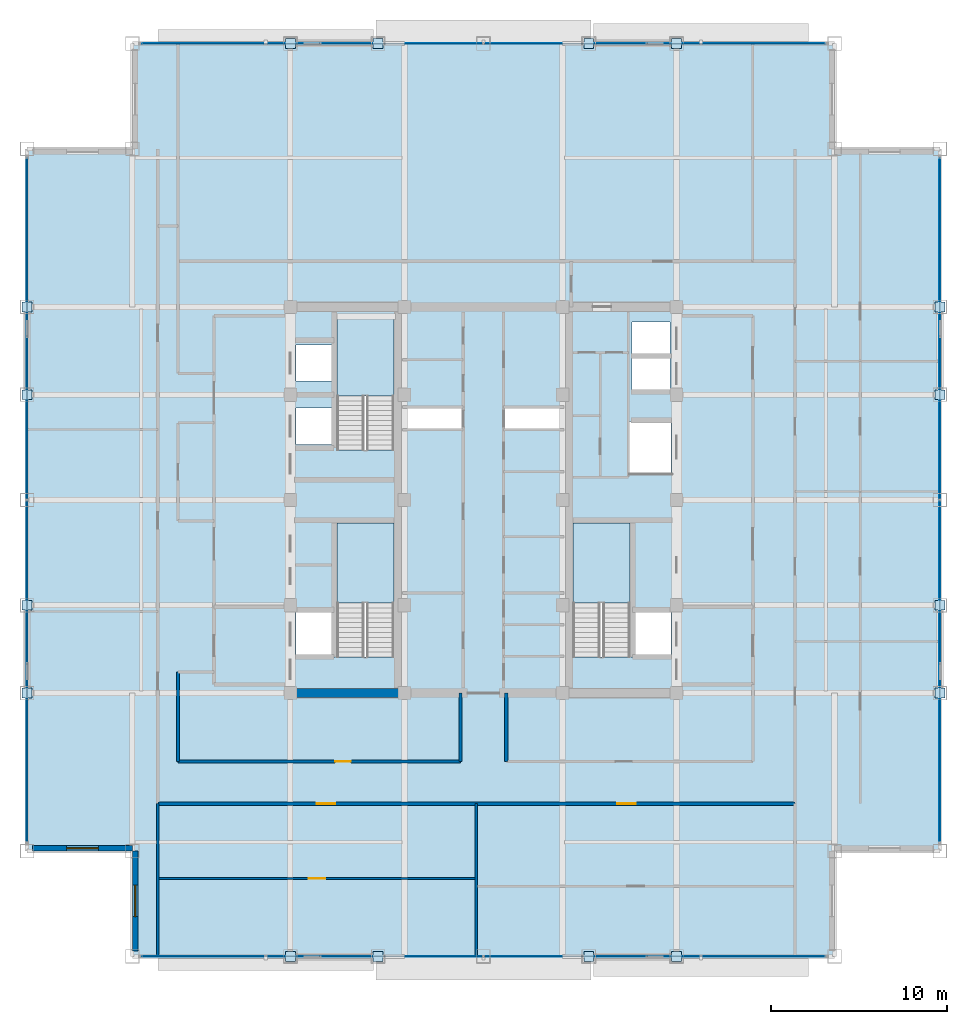
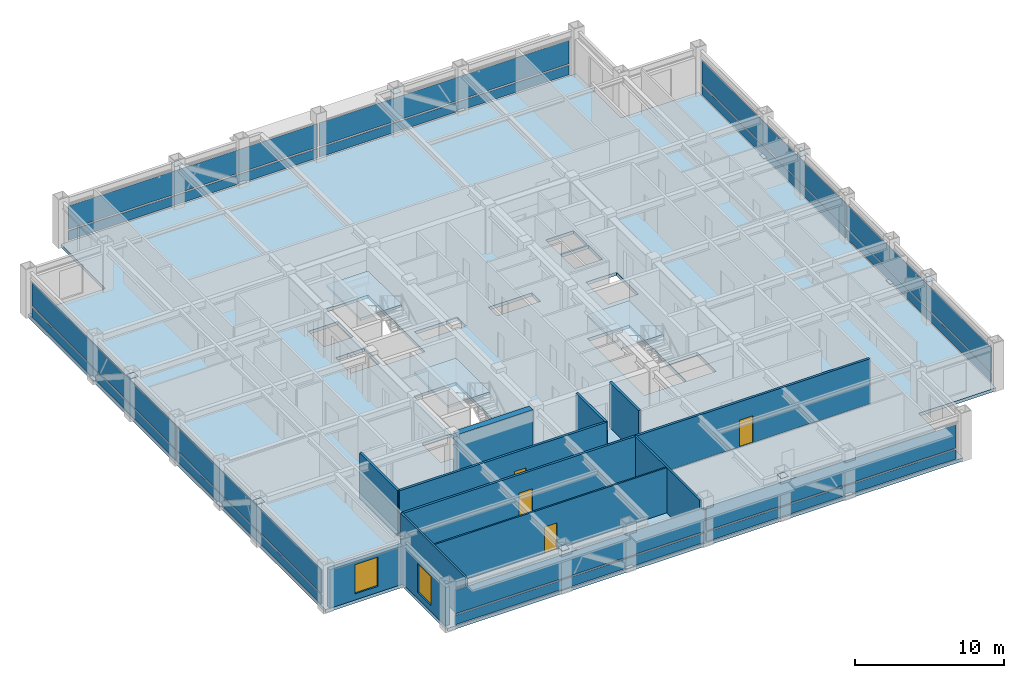
# One storey, part 23 of 32: 32 plates, 11 walls, 4 doors, 4 slabs, 2 windows, 6 openings, 7 elements without a shape of their own.
"""IFC4 building model written with IfcOpenShell, lengths in metres."""

from ifc_helpers import new_model, si_unit, direction, frame, frame_2d, origin, origin_2d, place, context, subcontext, project, spatial, polyline, rectangle, outline, extrude, source, transform, mapped, material, layer, layer_set, type_object, element, fill, aggregate, save


model = new_model("IFC4")

# Units and contexts
model_context = context("Model", 3, precision=1e-05, world=origin(), true_north=direction((0.0, 1.0)))
body_context = subcontext(model_context, "Body", "Model", "MODEL_VIEW")
ifc_project = project(units=[si_unit("LENGTHUNIT", "METRE"), si_unit("AREAUNIT", "SQUARE_METRE"), si_unit("VOLUMEUNIT", "CUBIC_METRE"), si_unit("PLANEANGLEUNIT", "RADIAN"), si_unit("MASSUNIT", "GRAM", prefix="KILO")], contexts=[model_context])

# Site, building, storey
site_placement = place(None, origin())
site = spatial("IfcSite", under=ifc_project, at=site_placement, CompositionType="ELEMENT")
building_placement = place(site_placement, origin())
building = spatial("IfcBuilding", under=site, at=building_placement, Name="Khorayat Bourse Tower", CompositionType="ELEMENT")
storey_placement = place(building_placement, frame((0.0, 0.0, 342.300048828125)))
storey = spatial("IfcBuildingStorey", under=building, at=storey_placement, Name="L81", CompositionType="ELEMENT", Elevation=342.300048828125)

# Stair, slab
ifc_material_1 = material(Name="Concrete C40/50", Category="concrete")
stair_type = type_object("IfcStairType", Name="STR-CORE-1550", PredefinedType="HALF_TURN_STAIR", material=ifc_material_1)
stair_1_placement = place(storey_placement, origin())
stair_1 = element("IfcStair", 1, at=stair_1_placement, inside=storey, type_object=stair_type, Name="L81 Exit Stair ST-1", PredefinedType="HALF_TURN_STAIR")
ifc_layer_1 = layer(ifc_material_1, 0.199951171875)
ifc_layer_set_1 = layer_set([ifc_layer_1], Name="Concrete C40/50")
slab_type_1 = type_object("IfcSlabType", Name="SLB-LANDING-200", PredefinedType="LANDING", material=ifc_layer_set_1)
slab_1_placement = place(storey_placement, frame((0.0, 0.0, 1.800048828125)))
slab_1 = element("IfcSlab", 2, at=slab_1_placement, type_object=slab_type_1, Name="ST-1 landing 1", PredefinedType="LANDING", context=body_context, shape_type="SweptSolid", body=[
    extrude(outline(polyline([(-5.10009765625, -5.8701171875), (-5.10009765625, -1.300048828125), (-8.35009765625, -1.300048828125), (-8.35009765625, -5.8701171875), (-5.10009765625, -5.8701171875)])), origin(), (0.0, 0.0, 1.0), 0.199951171875),
])
aggregate(stair_1, [slab_1])

stair_2_placement = place(storey_placement, origin())
stair_2 = element("IfcStair", 3, at=stair_2_placement, inside=storey, type_object=stair_type, Name="L81 Exit Stair ST-2", PredefinedType="HALF_TURN_STAIR")
slab_2_placement = place(storey_placement, frame((0.0, 0.0, 1.800048828125)))
slab_2 = element("IfcSlab", 4, at=slab_2_placement, type_object=slab_type_1, Name="ST-2 landing 1", PredefinedType="LANDING", context=body_context, shape_type="SweptSolid", body=[
    extrude(outline(polyline([(-5.10009765625, 5.929931640625), (-5.10009765625, 10.5), (-8.35009765625, 10.5), (-8.35009765625, 5.929931640625), (-5.10009765625, 5.929931640625)])), origin(), (0.0, 0.0, 1.0), 0.199951171875),
])
aggregate(stair_2, [slab_2])

stair_3_placement = place(storey_placement, origin())
stair_3 = element("IfcStair", 5, at=stair_3_placement, inside=storey, type_object=stair_type, Name="L81 Exit Stair ST-3", PredefinedType="HALF_TURN_STAIR")
slab_3_placement = place(storey_placement, frame((0.0, 0.0, 1.800048828125)))
slab_3 = element("IfcSlab", 6, at=slab_3_placement, type_object=slab_type_1, Name="ST-3 landing 1", PredefinedType="LANDING", context=body_context, shape_type="SweptSolid", body=[
    extrude(outline(polyline([(8.35009765625, -5.8701171875), (8.35009765625, -1.300048828125), (5.10009765625, -1.300048828125), (5.10009765625, -5.8701171875), (8.35009765625, -5.8701171875)])), origin(), (0.0, 0.0, 1.0), 0.199951171875),
])
aggregate(stair_3, [slab_3])

# Slab
ifc_layer_2 = layer(ifc_material_1, 0.219970703125)
ifc_layer_set_2 = layer_set([ifc_layer_2], Name="Concrete C40/50")
slab_type_2 = type_object("IfcSlabType", Name="SLB-OFFICE-220", PredefinedType="FLOOR", material=ifc_layer_set_2)
slab_4_placement = place(storey_placement, frame((0.0, 0.0, -0.260009765625)))
element("IfcSlab", 7, at=slab_4_placement, inside=storey, type_object=slab_type_2, Name="L81 Main Floor Slab", PredefinedType="FLOOR", context=body_context, shape_type="SweptSolid", body=[
    extrude(outline(polyline([(-20.0, -26.0), (20.0, -26.0), (20.0, -20.0), (26.0, -20.0), (26.0, 20.0), (20.0, 20.0), (20.0, 26.0), (-20.0, 26.0), (-20.0, 20.0), (-26.0, 20.0), (-26.0, -20.0), (-20.0, -20.0), (-20.0, -26.0)]), holes=[polyline([(-8.35009765625, -8.945068359375), (-5.10009765625, -8.945068359375), (-5.10009765625, -1.300048828125), (-8.35009765625, -1.300048828125), (-8.35009765625, -8.945068359375)]), polyline([(-8.35009765625, 2.85498046875), (-5.10009765625, 2.85498046875), (-5.10009765625, 10.5), (-8.35009765625, 10.5), (-8.35009765625, 2.85498046875)]), polyline([(5.10009765625, -8.945068359375), (8.35009765625, -8.945068359375), (8.35009765625, -1.300048828125), (5.10009765625, -1.300048828125), (5.10009765625, -8.945068359375)]), polyline([(-10.679931640625, 3.169921875), (-8.419921875, 3.169921875), (-8.419921875, 5.22998046875), (-10.679931640625, 5.22998046875), (-10.679931640625, 3.169921875)]), polyline([(-10.679931640625, 6.77001953125), (-8.419921875, 6.77001953125), (-8.419921875, 8.830078125), (-10.679931640625, 8.830078125), (-10.679931640625, 6.77001953125)]), polyline([(8.469970703125, 6.27001953125), (10.6298828125, 6.27001953125), (10.6298828125, 8.1298828125), (8.469970703125, 8.1298828125), (8.469970703125, 6.27001953125)]), polyline([(8.469970703125, 8.27001953125), (10.6298828125, 8.27001953125), (10.6298828125, 10.1298828125), (8.469970703125, 10.1298828125), (8.469970703125, 8.27001953125)]), polyline([(-10.679931640625, -8.929931640625), (-8.419921875, -8.929931640625), (-8.419921875, -6.3701171875), (-10.679931640625, -6.3701171875), (-10.679931640625, -8.929931640625)]), polyline([(8.419921875, -8.929931640625), (10.679931640625, -8.929931640625), (10.679931640625, -6.3701171875), (8.419921875, -6.3701171875), (8.419921875, -8.929931640625)]), polyline([(8.320068359375, 1.52001953125), (10.679931640625, 1.52001953125), (10.679931640625, 4.47998046875), (8.320068359375, 4.47998046875), (8.320068359375, 1.52001953125)]), polyline([(-4.56005859375, 4.080078125), (-1.18994140625, 4.080078125), (-1.18994140625, 5.219970703125), (-4.56005859375, 5.219970703125), (-4.56005859375, 4.080078125)]), polyline([(1.18994140625, 4.080078125), (4.56005859375, 4.080078125), (4.56005859375, 5.219970703125), (1.18994140625, 5.219970703125), (1.18994140625, 4.080078125)])]), origin(), (0.0, 0.0, 1.0), 0.260009765625),
])

# Plates
ifc_material_2 = material(Name="Steel EN 10025-2 S355J2", Category="steel")
ifc_layer_3 = layer(ifc_material_2, 0.02490234375)
ifc_layer_set_3 = layer_set([ifc_layer_3], Name="Steel EN 10025-2 S355J2")
plate_type_1 = type_object("IfcPlateType", Name="PLT-ENDCAP-25", PredefinedType="SHEET", material=ifc_layer_set_3)
shared_shape_1 = source(origin(), body_context, "Body", "SweptSolid", [
    extrude(rectangle(XDim=0.56005859375, YDim=0.56005859375, at=origin_2d()), origin(), (0.0, 0.0, 1.0), 0.02490234375),
])
for number, where, z_axis, x_axis, name in (
    (8, (-11.0, -26.0, 3.4375), (0.0, 0.0, 1.0), (1.0, 0.0, 0.0), "L81 Perimeter Brace End Plate 001"),
    (9, (-6.0, -26.0, 0.237548828125), (0.0, 0.0, 1.0), (1.0, 0.0, 0.0), "L81 Perimeter Brace End Plate 002"),
    (10, (6.0, -26.0, 3.4375), (0.0, 0.0, 1.0), (1.0, 0.0, 0.0), "L81 Perimeter Brace End Plate 003"),
    (11, (11.0, -26.0, 0.237548828125), (0.0, 0.0, 1.0), (1.0, 0.0, 0.0), "L81 Perimeter Brace End Plate 004"),
    (12, (-11.0, 26.0, 3.4375), (0.0, 0.0, 1.0), (1.0, 0.0, 0.0), "L81 Perimeter Brace End Plate 005"),
    (13, (-6.0, 26.0, 0.237548828125), (0.0, 0.0, 1.0), (1.0, 0.0, 0.0), "L81 Perimeter Brace End Plate 006"),
    (14, (6.0, 26.0, 3.4375), (0.0, 0.0, 1.0), (1.0, 0.0, 0.0), "L81 Perimeter Brace End Plate 007"),
    (15, (11.0, 26.0, 0.237548828125), (0.0, 0.0, 1.0), (1.0, 0.0, 0.0), "L81 Perimeter Brace End Plate 008"),
    (16, (-26.0, -11.0, 3.4375), (0.0, 0.0, 1.0), (1.0, 0.0, 0.0), "L81 Perimeter Brace End Plate 009"),
    (17, (-26.0, -6.0, 0.237548828125), (0.0, 0.0, 1.0), (1.0, 0.0, 0.0), "L81 Perimeter Brace End Plate 010"),
    (18, (-26.0, 6.0, 3.4375), (0.0, 0.0, 1.0), (1.0, 0.0, 0.0), "L81 Perimeter Brace End Plate 011"),
    (19, (-26.0, 11.0, 0.237548828125), (0.0, 0.0, 1.0), (1.0, 0.0, 0.0), "L81 Perimeter Brace End Plate 012"),
    (20, (26.0, -11.0, 3.4375), (0.0, 0.0, 1.0), (1.0, 0.0, 0.0), "L81 Perimeter Brace End Plate 013"),
    (21, (26.0, -6.0, 0.237548828125), (0.0, 0.0, 1.0), (1.0, 0.0, 0.0), "L81 Perimeter Brace End Plate 014"),
    (22, (26.0, 6.0, 3.4375), (0.0, 0.0, 1.0), (1.0, 0.0, 0.0), "L81 Perimeter Brace End Plate 015"),
    (23, (26.0, 11.0, 0.237548828125), (0.0, 0.0, 1.0), (1.0, 0.0, 0.0), "L81 Perimeter Brace End Plate 016"),
):
    element("IfcPlate", number, at=place(storey_placement, frame(where, z_axis=z_axis, x_axis=x_axis)), inside=storey, type_object=plate_type_1, Name=name, PredefinedType="SHEET", context=body_context, shape_type="MappedRepresentation", body=[
        mapped(shared_shape_1, transform((0.0, 0.0, 0.0), scale=1.0)),
    ])

# Curtain wall, plates
ifc_material_3 = material(Name="Aluminium EN AW-6063 T6", Category="aluminium")
curtain_wall_type = type_object("IfcCurtainWallType", Name="CW-SYS-04", PredefinedType="NOTDEFINED", material=ifc_material_3)
curtain_wall_1_placement = place(storey_placement, origin())
curtain_wall_1 = element("IfcCurtainWall", 24, at=curtain_wall_1_placement, inside=storey, type_object=curtain_wall_type, Name="L81 Curtain Wall CW-L81-S1", PredefinedType="NOTDEFINED")
ifc_material_4 = material(Name="Honed desert limestone insulated spandrel", Category="masonry")
ifc_layer_4 = layer(ifc_material_4, 0.06494140625)
ifc_layer_set_4 = layer_set([ifc_layer_4], Name="Honed desert limestone insulated spandrel")
plate_type_2 = type_object("IfcPlateType", Name="CWP-SPAND-03", PredefinedType="CURTAIN_PANEL", material=ifc_layer_set_4)
shared_shape_2 = source(origin(), body_context, "Body", "SweptSolid", [
    extrude(rectangle(XDim=19.3701171875, YDim=0.06494140625, at=origin_2d()), origin(), (0.0, 0.0, 1.0), 0.77001953125),
])
plate_1_placement = place(storey_placement, frame((-9.7451171875, -26.0, 0.119873046875), z_axis=(0.0, 0.0, 1.0), x_axis=(1.0, 0.0, 0.0)))
plate_1 = element("IfcPlate", 25, at=plate_1_placement, type_object=plate_type_2, Name="CW-L81-S1 Spandrel Panel 1-1", PredefinedType="CURTAIN_PANEL", context=body_context, shape_type="MappedRepresentation", body=[
    mapped(shared_shape_2, transform((0.0, 0.0, 0.0), scale=1.0)),
])
plate_2_placement = place(storey_placement, frame((9.7451171875, -26.0, 0.119873046875), z_axis=(0.0, 0.0, 1.0), x_axis=(1.0, 0.0, 0.0)))
plate_2 = element("IfcPlate", 26, at=plate_2_placement, type_object=plate_type_2, Name="CW-L81-S1 Spandrel Panel 2-1", PredefinedType="CURTAIN_PANEL", context=body_context, shape_type="MappedRepresentation", body=[
    mapped(shared_shape_2, transform((0.0, 0.0, 0.0), scale=1.0)),
])

curtain_wall_2_placement = place(storey_placement, origin())
curtain_wall_2 = element("IfcCurtainWall", 27, at=curtain_wall_2_placement, inside=storey, type_object=curtain_wall_type, Name="L81 Curtain Wall CW-L81-N1", PredefinedType="NOTDEFINED")
plate_3_placement = place(storey_placement, frame((-9.7451171875, 26.0, 0.119873046875), z_axis=(0.0, 0.0, 1.0), x_axis=(1.0, 0.0, 0.0)))
plate_3 = element("IfcPlate", 28, at=plate_3_placement, type_object=plate_type_2, Name="CW-L81-N1 Spandrel Panel 1-1", PredefinedType="CURTAIN_PANEL", context=body_context, shape_type="MappedRepresentation", body=[
    mapped(shared_shape_2, transform((0.0, 0.0, 0.0), scale=1.0)),
])
plate_4_placement = place(storey_placement, frame((9.7451171875, 26.0, 0.119873046875), z_axis=(0.0, 0.0, 1.0), x_axis=(1.0, 0.0, 0.0)))
plate_4 = element("IfcPlate", 29, at=plate_4_placement, type_object=plate_type_2, Name="CW-L81-N1 Spandrel Panel 2-1", PredefinedType="CURTAIN_PANEL", context=body_context, shape_type="MappedRepresentation", body=[
    mapped(shared_shape_2, transform((0.0, 0.0, 0.0), scale=1.0)),
])

curtain_wall_3_placement = place(storey_placement, origin())
curtain_wall_3 = element("IfcCurtainWall", 30, at=curtain_wall_3_placement, inside=storey, type_object=curtain_wall_type, Name="L81 Curtain Wall CW-L81-W1", PredefinedType="NOTDEFINED")
plate_5_placement = place(storey_placement, frame((-26.0, -9.7451171875, 0.119873046875), z_axis=(0.0, 0.0, 1.0), x_axis=(0.0, 1.0, 0.0)))
plate_5 = element("IfcPlate", 31, at=plate_5_placement, type_object=plate_type_2, Name="CW-L81-W1 Spandrel Panel 1-1", PredefinedType="CURTAIN_PANEL", context=body_context, shape_type="MappedRepresentation", body=[
    mapped(shared_shape_2, transform((0.0, 0.0, 0.0), scale=1.0)),
])
plate_6_placement = place(storey_placement, frame((-26.0, 9.7451171875, 0.119873046875), z_axis=(0.0, 0.0, 1.0), x_axis=(0.0, 1.0, 0.0)))
plate_6 = element("IfcPlate", 32, at=plate_6_placement, type_object=plate_type_2, Name="CW-L81-W1 Spandrel Panel 2-1", PredefinedType="CURTAIN_PANEL", context=body_context, shape_type="MappedRepresentation", body=[
    mapped(shared_shape_2, transform((0.0, 0.0, 0.0), scale=1.0)),
])

curtain_wall_4_placement = place(storey_placement, origin())
curtain_wall_4 = element("IfcCurtainWall", 33, at=curtain_wall_4_placement, inside=storey, type_object=curtain_wall_type, Name="L81 Curtain Wall CW-L81-E1", PredefinedType="NOTDEFINED")
plate_7_placement = place(storey_placement, frame((26.0, -9.7451171875, 0.119873046875), z_axis=(0.0, 0.0, 1.0), x_axis=(0.0, 1.0, 0.0)))
plate_7 = element("IfcPlate", 34, at=plate_7_placement, type_object=plate_type_2, Name="CW-L81-E1 Spandrel Panel 1-1", PredefinedType="CURTAIN_PANEL", context=body_context, shape_type="MappedRepresentation", body=[
    mapped(shared_shape_2, transform((0.0, 0.0, 0.0), scale=1.0)),
])
plate_8_placement = place(storey_placement, frame((26.0, 9.7451171875, 0.119873046875), z_axis=(0.0, 0.0, 1.0), x_axis=(0.0, 1.0, 0.0)))
plate_8 = element("IfcPlate", 35, at=plate_8_placement, type_object=plate_type_2, Name="CW-L81-E1 Spandrel Panel 2-1", PredefinedType="CURTAIN_PANEL", context=body_context, shape_type="MappedRepresentation", body=[
    mapped(shared_shape_2, transform((0.0, 0.0, 0.0), scale=1.0)),
])

# Plate
ifc_material_5 = material(Name="Low-E solar-control laminated double glazing", Category="glass")
ifc_layer_5 = layer(ifc_material_5, 0.0419921875)
ifc_layer_set_5 = layer_set([ifc_layer_5], Name="Low-E solar-control laminated double glazing")
plate_type_3 = type_object("IfcPlateType", Name="CWP-FACET-02", PredefinedType="CURTAIN_PANEL", material=ifc_layer_set_5)
shared_shape_3 = source(origin(), body_context, "Body", "SweptSolid", [
    extrude(rectangle(XDim=19.3701171875, YDim=0.0419921875, at=origin_2d()), origin(), (0.0, 0.0, 1.0), 1.919921875),
])
plate_9_placement = place(storey_placement, frame((-9.7451171875, -26.0, 1.010009765625), z_axis=(0.0, 0.0, 1.0), x_axis=(1.0, 0.0, 0.0)))
plate_9 = element("IfcPlate", 36, at=plate_9_placement, type_object=plate_type_3, Name="CW-L81-S1 Vision Panel 1-2", PredefinedType="CURTAIN_PANEL", context=body_context, shape_type="MappedRepresentation", body=[
    mapped(shared_shape_3, transform((0.0, 0.0, 0.0), scale=1.0)),
])

plate_10_placement = place(storey_placement, frame((9.7451171875, -26.0, 1.010009765625), z_axis=(0.0, 0.0, 1.0), x_axis=(1.0, 0.0, 0.0)))
plate_10 = element("IfcPlate", 37, at=plate_10_placement, type_object=plate_type_3, Name="CW-L81-S1 Vision Panel 2-2", PredefinedType="CURTAIN_PANEL", context=body_context, shape_type="MappedRepresentation", body=[
    mapped(shared_shape_3, transform((0.0, 0.0, 0.0), scale=1.0)),
])

aggregate(curtain_wall_1, [plate_1, plate_9, plate_2, plate_10])

plate_11_placement = place(storey_placement, frame((-9.7451171875, 26.0, 1.010009765625), z_axis=(0.0, 0.0, 1.0), x_axis=(1.0, 0.0, 0.0)))
plate_11 = element("IfcPlate", 38, at=plate_11_placement, type_object=plate_type_3, Name="CW-L81-N1 Vision Panel 1-2", PredefinedType="CURTAIN_PANEL", context=body_context, shape_type="MappedRepresentation", body=[
    mapped(shared_shape_3, transform((0.0, 0.0, 0.0), scale=1.0)),
])

plate_12_placement = place(storey_placement, frame((9.7451171875, 26.0, 1.010009765625), z_axis=(0.0, 0.0, 1.0), x_axis=(1.0, 0.0, 0.0)))
plate_12 = element("IfcPlate", 39, at=plate_12_placement, type_object=plate_type_3, Name="CW-L81-N1 Vision Panel 2-2", PredefinedType="CURTAIN_PANEL", context=body_context, shape_type="MappedRepresentation", body=[
    mapped(shared_shape_3, transform((0.0, 0.0, 0.0), scale=1.0)),
])

aggregate(curtain_wall_2, [plate_3, plate_11, plate_4, plate_12])

plate_13_placement = place(storey_placement, frame((-26.0, -9.7451171875, 1.010009765625), z_axis=(0.0, 0.0, 1.0), x_axis=(0.0, 1.0, 0.0)))
plate_13 = element("IfcPlate", 40, at=plate_13_placement, type_object=plate_type_3, Name="CW-L81-W1 Vision Panel 1-2", PredefinedType="CURTAIN_PANEL", context=body_context, shape_type="MappedRepresentation", body=[
    mapped(shared_shape_3, transform((0.0, 0.0, 0.0), scale=1.0)),
])

plate_14_placement = place(storey_placement, frame((-26.0, 9.7451171875, 1.010009765625), z_axis=(0.0, 0.0, 1.0), x_axis=(0.0, 1.0, 0.0)))
plate_14 = element("IfcPlate", 41, at=plate_14_placement, type_object=plate_type_3, Name="CW-L81-W1 Vision Panel 2-2", PredefinedType="CURTAIN_PANEL", context=body_context, shape_type="MappedRepresentation", body=[
    mapped(shared_shape_3, transform((0.0, 0.0, 0.0), scale=1.0)),
])

aggregate(curtain_wall_3, [plate_5, plate_13, plate_6, plate_14])

plate_15_placement = place(storey_placement, frame((26.0, -9.7451171875, 1.010009765625), z_axis=(0.0, 0.0, 1.0), x_axis=(0.0, 1.0, 0.0)))
plate_15 = element("IfcPlate", 42, at=plate_15_placement, type_object=plate_type_3, Name="CW-L81-E1 Vision Panel 1-2", PredefinedType="CURTAIN_PANEL", context=body_context, shape_type="MappedRepresentation", body=[
    mapped(shared_shape_3, transform((0.0, 0.0, 0.0), scale=1.0)),
])

plate_16_placement = place(storey_placement, frame((26.0, 9.7451171875, 1.010009765625), z_axis=(0.0, 0.0, 1.0), x_axis=(0.0, 1.0, 0.0)))
plate_16 = element("IfcPlate", 43, at=plate_16_placement, type_object=plate_type_3, Name="CW-L81-E1 Vision Panel 2-2", PredefinedType="CURTAIN_PANEL", context=body_context, shape_type="MappedRepresentation", body=[
    mapped(shared_shape_3, transform((0.0, 0.0, 0.0), scale=1.0)),
])

aggregate(curtain_wall_4, [plate_7, plate_15, plate_8, plate_16])

# Wall
ifc_material_6 = material(Name="Concrete C52/65", Category="concrete")
ifc_layer_6 = layer(ifc_material_6, 0.5)
ifc_layer_set_6 = layer_set([ifc_layer_6], Name="Concrete C52/65")
wall_type_1 = type_object("IfcWallType", Name="WAL-CORE-500", PredefinedType="SHEAR", material=ifc_layer_set_6)
shared_shape_4 = source(origin(), body_context, "Body", "SweptSolid", [
    extrude(rectangle(XDim=5.89990234375, YDim=0.5, at=frame_2d((2.949951171875, 0.0))), origin(), (0.0, 0.0, 1.0), 3.699951171875),
])
wall_1_placement = place(storey_placement, frame((-10.75, -11.0, 0.0), z_axis=(0.0, 0.0, 1.0), x_axis=(1.0, 0.0, 0.0)))
element("IfcWall", 44, at=wall_1_placement, inside=storey, type_object=wall_type_1, Name="L81 Core Shear Wall PIER-WS", PredefinedType="SHEAR", context=body_context, shape_type="MappedRepresentation", body=[
    mapped(shared_shape_4, transform((0.0, 0.0, 0.0), scale=1.0)),
])

# Wall, opening, window
ifc_material_7 = material(Name="Precast concrete C45/55", Category="concrete")
ifc_layer_7 = layer(ifc_material_7, 0.320068359375)
ifc_layer_set_7 = layer_set([ifc_layer_7], Name="Precast concrete C45/55")
wall_type_2 = type_object("IfcWallType", Name="WAL-EXT-STONE-320", PredefinedType="STANDARD", material=ifc_layer_set_7)
shared_shape_5 = source(origin(), body_context, "Body", "SweptSolid", [
    extrude(rectangle(XDim=5.679931640625, YDim=0.320068359375, at=frame_2d((2.83984375, 0.0))), origin(), (0.0, 0.0, 1.0), 3.15087890625),
])
wall_2_placement = place(storey_placement, frame((-20.0, -19.840087890625, 0.0), z_axis=(0.0, 0.0, 1.0), x_axis=(-1.0, 0.0, 0.0)))
wall_2 = element("IfcWall", 45, at=wall_2_placement, inside=storey, type_object=wall_type_2, Name="L81 Re-Entrant Notch Limestone Wall SW-H", PredefinedType="STANDARD", context=body_context, shape_type="MappedRepresentation", body=[
    mapped(shared_shape_5, transform((0.0, 0.0, 0.0), scale=1.0)),
])
shared_shape_6 = source(origin(), body_context, "Body", "SweptSolid", [
    extrude(rectangle(XDim=1.800048828125, YDim=2.39990234375, at=frame_2d((0.89990234375, 1.199951171875))), frame((0.0, 0.169921875, 0.0), z_axis=(0.0, -1.0, 0.0), x_axis=(1.0, 0.0, 0.0)), (0.0, 0.0, 1.0), 0.340087890625),
])
opening_1_placement = place(wall_2_placement, frame((1.93994140625, 0.0, 0.5)))
opening_1 = element("IfcOpeningElement", 46, at=opening_1_placement, cuts=wall_2, Name="Opening WN-04", PredefinedType="OPENING", context=body_context, shape_type="MappedRepresentation", body=[
    mapped(shared_shape_6, transform((0.0, 0.0, 0.0), scale=1.0)),
])
ifc_material_8 = material(Name="Low-E acoustic laminated double glazing", Category="glass")
window_type = type_object("IfcWindowType", Name="WIN-NOTCH-1800x2400", PartitioningType="SINGLE_PANEL", PredefinedType="WINDOW", material=ifc_material_8)
shared_shape_7 = source(origin(), body_context, "Body", "SweptSolid", [
    extrude(rectangle(XDim=1.800048828125, YDim=2.39990234375, at=frame_2d((0.89990234375, 1.199951171875))), frame((0.0, 0.030029296875, 0.0), z_axis=(0.0, -1.0, 0.0), x_axis=(1.0, 0.0, 0.0)), (0.0, 0.0, 1.0), 0.06005859375),
])
window_1_placement = place(opening_1_placement, origin())
window_1 = element("IfcWindow", 47, at=window_1_placement, inside=storey, type_object=window_type, Name="L81 Facade Window 1", OverallHeight=2.39990234375, OverallWidth=1.800048828125, PartitioningType="SINGLE_PANEL", PredefinedType="WINDOW", context=body_context, shape_type="MappedRepresentation", body=[
    mapped(shared_shape_7, transform((0.0, 0.0, 0.0), scale=1.0)),
])
fill(opening_1, window_1)

wall_3_placement = place(storey_placement, frame((-19.840087890625, -25.679931640625, 0.0), z_axis=(0.0, 0.0, 1.0), x_axis=(0.0, 1.0, 0.0)))
wall_3 = element("IfcWall", 48, at=wall_3_placement, inside=storey, type_object=wall_type_2, Name="L81 Re-Entrant Notch Limestone Wall SW-V", PredefinedType="STANDARD", context=body_context, shape_type="MappedRepresentation", body=[
    mapped(shared_shape_5, transform((0.0, 0.0, 0.0), scale=1.0)),
])
opening_2_placement = place(wall_3_placement, frame((1.93994140625, 0.0, 0.5)))
opening_2 = element("IfcOpeningElement", 49, at=opening_2_placement, cuts=wall_3, Name="Opening WN-04", PredefinedType="OPENING", context=body_context, shape_type="MappedRepresentation", body=[
    mapped(shared_shape_6, transform((0.0, 0.0, 0.0), scale=1.0)),
])
window_2_placement = place(opening_2_placement, origin())
window_2 = element("IfcWindow", 50, at=window_2_placement, inside=storey, type_object=window_type, Name="L81 Facade Window 1", OverallHeight=2.39990234375, OverallWidth=1.800048828125, PartitioningType="SINGLE_PANEL", PredefinedType="WINDOW", context=body_context, shape_type="MappedRepresentation", body=[
    mapped(shared_shape_7, transform((0.0, 0.0, 0.0), scale=1.0)),
])
fill(opening_2, window_2)

# Wall, opening, door
ifc_material_9 = material(Name="Gypsum plasterboard acoustic stud wall")
ifc_layer_8 = layer(ifc_material_9, 0.179931640625)
ifc_layer_set_8 = layer_set([ifc_layer_8], Name="Gypsum plasterboard acoustic stud wall")
wall_type_3 = type_object("IfcWallType", Name="WAL-PART-CORR-180", PredefinedType="PARTITIONING", material=ifc_layer_set_8)
shared_shape_8 = source(origin(), body_context, "Body", "SweptSolid", [
    extrude(rectangle(XDim=16.099853515625, YDim=0.179931640625, at=frame_2d((8.0498046875, 0.0))), origin(), (0.0, 0.0, 1.0), 3.699951171875),
])
wall_4_placement = place(storey_placement, frame((-17.39990234375, -14.89990234375, 0.0), z_axis=(0.0, 0.0, 1.0), x_axis=(1.0, 0.0, 0.0)))
wall_4 = element("IfcWall", 51, at=wall_4_placement, inside=storey, type_object=wall_type_3, Name="L81 Partition WAL-L81-PKSW-S", PredefinedType="PARTITIONING", context=body_context, shape_type="MappedRepresentation", body=[
    mapped(shared_shape_8, transform((0.0, 0.0, 0.0), scale=1.0)),
])
shared_shape_9 = source(origin(), body_context, "Body", "SweptSolid", [
    extrude(rectangle(XDim=0.89990234375, YDim=2.14990234375, at=frame_2d((0.449951171875, 1.074951171875))), frame((0.0, 0.099853515625, 0.0), z_axis=(0.0, -1.0, 0.0), x_axis=(1.0, 0.0, 0.0)), (0.0, 0.0, 1.0), 0.199951171875),
])
opening_3_placement = place(wall_4_placement, frame((8.949951171875, 0.0, 0.0)))
opening_3 = element("IfcOpeningElement", 52, at=opening_3_placement, cuts=wall_4, Name="Opening DI-06", PredefinedType="OPENING", context=body_context, shape_type="MappedRepresentation", body=[
    mapped(shared_shape_9, transform((0.0, 0.0, 0.0), scale=1.0)),
])
ifc_material_10 = material(Name="Moisture-resistant laminate washroom door")
door_type_1 = type_object("IfcDoorType", Name="DR-INT-WC-900", OperationType="NOTDEFINED", PredefinedType="DOOR", material=ifc_material_10)
shared_shape_10 = source(origin(), body_context, "Body", "SweptSolid", [
    extrude(rectangle(XDim=0.89990234375, YDim=2.14990234375, at=frame_2d((0.449951171875, 1.074951171875))), frame((0.0, 0.02490234375, 0.0), z_axis=(0.0, -1.0, 0.0), x_axis=(1.0, 0.0, 0.0)), (0.0, 0.0, 1.0), 0.050048828125),
])
door_1_placement = place(opening_3_placement, origin())
door_1 = element("IfcDoor", 53, at=door_1_placement, inside=storey, type_object=door_type_1, Name="L81 SW Inboard Pantry Door", OperationType="SINGLE_SWING_LEFT", OverallHeight=2.14990234375, OverallWidth=0.89990234375, PredefinedType="DOOR", context=body_context, shape_type="MappedRepresentation", body=[
    mapped(shared_shape_10, transform((0.0, 0.0, 0.0), scale=1.0)),
])
fill(opening_3, door_1)

# Walls
shared_shape_11 = source(origin(), body_context, "Body", "SweptSolid", [
    extrude(rectangle(XDim=5.099853515625, YDim=0.179931640625, at=frame_2d((2.5498046875, 0.0))), origin(), (0.0, 0.0, 1.0), 3.699951171875),
])
wall_5_placement = place(storey_placement, frame((-17.39990234375, -14.89990234375, 0.0), z_axis=(0.0, 0.0, 1.0), x_axis=(0.0, 1.0, 0.0)))
element("IfcWall", 54, at=wall_5_placement, inside=storey, type_object=wall_type_3, Name="L81 Partition WAL-L81-PKSW-W", PredefinedType="PARTITIONING", context=body_context, shape_type="MappedRepresentation", body=[
    mapped(shared_shape_11, transform((0.0, 0.0, 0.0), scale=1.0)),
])
shared_shape_12 = source(origin(), body_context, "Body", "SweptSolid", [
    extrude(rectangle(XDim=3.89990234375, YDim=0.179931640625, at=frame_2d((1.949951171875, 0.0))), origin(), (0.0, 0.0, 1.0), 3.699951171875),
])
for number, where, z_axis, x_axis, name in (
    (55, (-1.300048828125, -14.89990234375, 0.0), (0.0, 0.0, 1.0), (0.0, 1.0, 0.0), "L81 Partition WAL-L81-PKSW-E"),
    (56, (1.300048828125, -14.89990234375, 0.0), (0.0, 0.0, 1.0), (0.0, 1.0, 0.0), "L81 Partition WAL-L81-PKSE-W"),
):
    element("IfcWall", number, at=place(storey_placement, frame(where, z_axis=z_axis, x_axis=x_axis)), inside=storey, type_object=wall_type_3, Name=name, PredefinedType="PARTITIONING", context=body_context, shape_type="MappedRepresentation", body=[
        mapped(shared_shape_12, transform((0.0, 0.0, 0.0), scale=1.0)),
    ])

# Wall, opening, door
ifc_material_11 = material(Name="Gypsum plasterboard partition")
ifc_layer_9 = layer(ifc_material_11, 0.125)
ifc_layer_set_9 = layer_set([ifc_layer_9], Name="Gypsum plasterboard partition")
wall_type_4 = type_object("IfcWallType", Name="WAL-PART-ROOM-125", PredefinedType="PARTITIONING", material=ifc_layer_set_9)
shared_shape_13 = source(origin(), body_context, "Body", "SweptSolid", [
    extrude(rectangle(XDim=18.150146484375, YDim=0.125, at=frame_2d((9.0751953125, 0.0))), origin(), (0.0, 0.0, 1.0), 3.699951171875),
])
wall_6_placement = place(storey_placement, frame((-18.550048828125, -21.56298828125, 0.0), z_axis=(0.0, 0.0, 1.0), x_axis=(1.0, 0.0, 0.0)))
wall_6 = element("IfcWall", 57, at=wall_6_placement, inside=storey, type_object=wall_type_4, Name="L81 Partition WAL-L81-SDP-1", PredefinedType="PARTITIONING", context=body_context, shape_type="MappedRepresentation", body=[
    mapped(shared_shape_13, transform((0.0, 0.0, 0.0), scale=1.0)),
])
shared_shape_14 = source(origin(), body_context, "Body", "SweptSolid", [
    extrude(rectangle(XDim=0.949951171875, YDim=2.14990234375, at=frame_2d((0.47509765625, 1.074951171875))), frame((0.0, 0.072509765625, 0.0), z_axis=(0.0, -1.0, 0.0), x_axis=(1.0, 0.0, 0.0)), (0.0, 0.0, 1.0), 0.14501953125),
])
opening_4_placement = place(wall_6_placement, frame((8.60009765625, 0.0, 0.0)))
opening_4 = element("IfcOpeningElement", 58, at=opening_4_placement, cuts=wall_6, Name="Opening DI-05", PredefinedType="OPENING", context=body_context, shape_type="MappedRepresentation", body=[
    mapped(shared_shape_14, transform((0.0, 0.0, 0.0), scale=1.0)),
])
ifc_material_12 = material(Name="Acoustic oak veneer office door")
door_type_2 = type_object("IfcDoorType", Name="DR-INT-OFFICE-950", OperationType="NOTDEFINED", PredefinedType="DOOR", material=ifc_material_12)
shared_shape_15 = source(origin(), body_context, "Body", "SweptSolid", [
    extrude(rectangle(XDim=0.949951171875, YDim=2.14990234375, at=frame_2d((0.47509765625, 1.074951171875))), frame((0.0, 0.02490234375, 0.0), z_axis=(0.0, -1.0, 0.0), x_axis=(1.0, 0.0, 0.0)), (0.0, 0.0, 1.0), 0.050048828125),
])
door_2_placement = place(opening_4_placement, origin())
door_2 = element("IfcDoor", 59, at=door_2_placement, inside=storey, type_object=door_type_2, Name="L81 Market Committee Conference Room S1B Door", OperationType="SINGLE_SWING_RIGHT", OverallHeight=2.14990234375, OverallWidth=0.949951171875, PredefinedType="DOOR", context=body_context, shape_type="MappedRepresentation", body=[
    mapped(shared_shape_15, transform((0.0, 0.0, 0.0), scale=1.0)),
])
fill(opening_4, door_2)

# Walls
ifc_material_13 = material(Name="Gypsum plasterboard twin-frame partition")
ifc_layer_10 = layer(ifc_material_13, 0.14990234375)
ifc_layer_set_10 = layer_set([ifc_layer_10], Name="Gypsum plasterboard twin-frame partition")
wall_type_5 = type_object("IfcWallType", Name="WAL-PART-SUITE-150", PredefinedType="PARTITIONING", material=ifc_layer_set_10)
shared_shape_16 = source(origin(), body_context, "Body", "SweptSolid", [
    extrude(rectangle(XDim=8.699951171875, YDim=0.14990234375, at=frame_2d((4.35009765625, 0.0))), origin(), (0.0, 0.0, 1.0), 3.699951171875),
])
for number, where, z_axis, x_axis, name in (
    (60, (-0.39990234375, -26.0, 0.0), (0.0, 0.0, 1.0), (0.0, 1.0, 0.0), "L81 Partition WAL-L81-SDV-1"),
    (61, (-18.550048828125, -26.0, 0.0), (0.0, 0.0, 1.0), (0.0, 1.0, 0.0), "L81 Partition WAL-L81-SCW-END"),
):
    element("IfcWall", number, at=place(storey_placement, frame(where, z_axis=z_axis, x_axis=x_axis)), inside=storey, type_object=wall_type_5, Name=name, PredefinedType="PARTITIONING", context=body_context, shape_type="MappedRepresentation", body=[
        mapped(shared_shape_16, transform((0.0, 0.0, 0.0), scale=1.0)),
    ])

# Wall, openings, doors
shared_shape_17 = source(origin(), body_context, "Body", "SweptSolid", [
    extrude(rectangle(XDim=36.300048828125, YDim=0.179931640625, at=frame_2d((18.14990234375, 0.0))), origin(), (0.0, 0.0, 1.0), 3.699951171875),
])
wall_7_placement = place(storey_placement, frame((-18.550048828125, -17.300048828125, 0.0), z_axis=(0.0, 0.0, 1.0), x_axis=(1.0, 0.0, 0.0)))
wall_7 = element("IfcWall", 62, at=wall_7_placement, inside=storey, type_object=wall_type_3, Name="L81 Partition WAL-L81-SCORR", PredefinedType="PARTITIONING", context=body_context, shape_type="MappedRepresentation", body=[
    mapped(shared_shape_17, transform((0.0, 0.0, 0.0), scale=1.0)),
])
shared_shape_18 = source(origin(), body_context, "Body", "SweptSolid", [
    extrude(rectangle(XDim=1.050048828125, YDim=2.199951171875, at=frame_2d((0.52490234375, 1.10009765625))), frame((0.0, 0.099853515625, 0.0), z_axis=(0.0, -1.0, 0.0), x_axis=(1.0, 0.0, 0.0)), (0.0, 0.0, 1.0), 0.199951171875),
])
opening_5_placement = place(wall_7_placement, frame((9.050048828125, 0.0, 0.0)))
opening_5 = element("IfcOpeningElement", 63, at=opening_5_placement, cuts=wall_7, Name="Opening DI-04", PredefinedType="OPENING", context=body_context, shape_type="MappedRepresentation", body=[
    mapped(shared_shape_18, transform((0.0, 0.0, 0.0), scale=1.0)),
])
opening_6_placement = place(wall_7_placement, frame((26.175048828125, 0.0, 0.0)))
opening_6 = element("IfcOpeningElement", 64, at=opening_6_placement, cuts=wall_7, Name="Opening DI-04", PredefinedType="OPENING", context=body_context, shape_type="MappedRepresentation", body=[
    mapped(shared_shape_18, transform((0.0, 0.0, 0.0), scale=1.0)),
])
ifc_material_14 = material(Name="Fire-rated oak veneer suite entrance door")
door_type_3 = type_object("IfcDoorType", Name="DR-INT-SUITE-1050", OperationType="NOTDEFINED", PredefinedType="DOOR", material=ifc_material_14)
shared_shape_19 = source(origin(), body_context, "Body", "SweptSolid", [
    extrude(rectangle(XDim=1.050048828125, YDim=2.199951171875, at=frame_2d((0.52490234375, 1.10009765625))), frame((0.0, 0.02490234375, 0.0), z_axis=(0.0, -1.0, 0.0), x_axis=(1.0, 0.0, 0.0)), (0.0, 0.0, 1.0), 0.050048828125),
])
door_3_placement = place(opening_5_placement, origin())
door_3 = element("IfcDoor", 65, at=door_3_placement, inside=storey, type_object=door_type_3, Name="L81 Executive Boardroom S1 Door", OperationType="SINGLE_SWING_RIGHT", OverallHeight=2.199951171875, OverallWidth=1.050048828125, PredefinedType="DOOR", context=body_context, shape_type="MappedRepresentation", body=[
    mapped(shared_shape_19, transform((0.0, 0.0, 0.0), scale=1.0)),
])
fill(opening_5, door_3)
door_4_placement = place(opening_6_placement, origin())
door_4 = element("IfcDoor", 66, at=door_4_placement, inside=storey, type_object=door_type_3, Name="L81 Brokerage Seminar Room S2 Door", OperationType="SINGLE_SWING_LEFT", OverallHeight=2.199951171875, OverallWidth=1.050048828125, PredefinedType="DOOR", context=body_context, shape_type="MappedRepresentation", body=[
    mapped(shared_shape_19, transform((0.0, 0.0, 0.0), scale=1.0)),
])
fill(opening_6, door_4)

save(model, "model.ifc")
